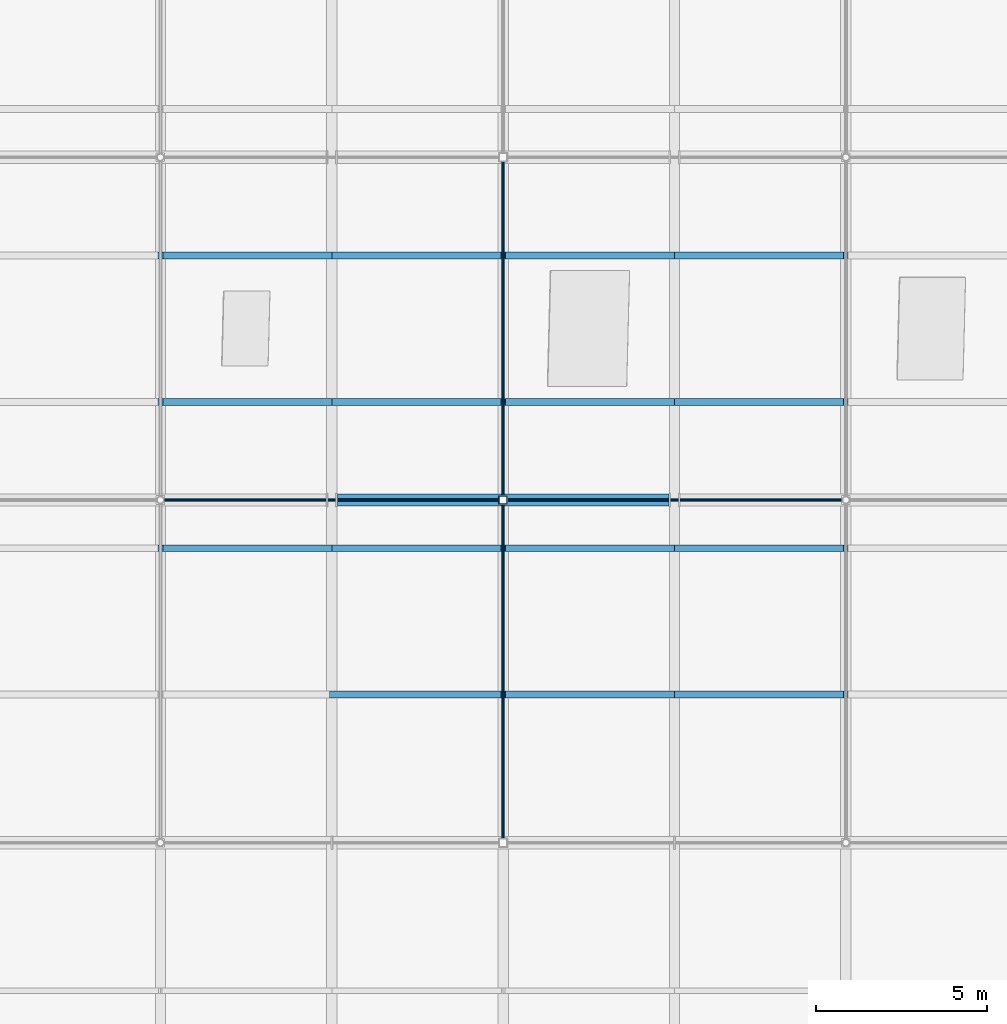
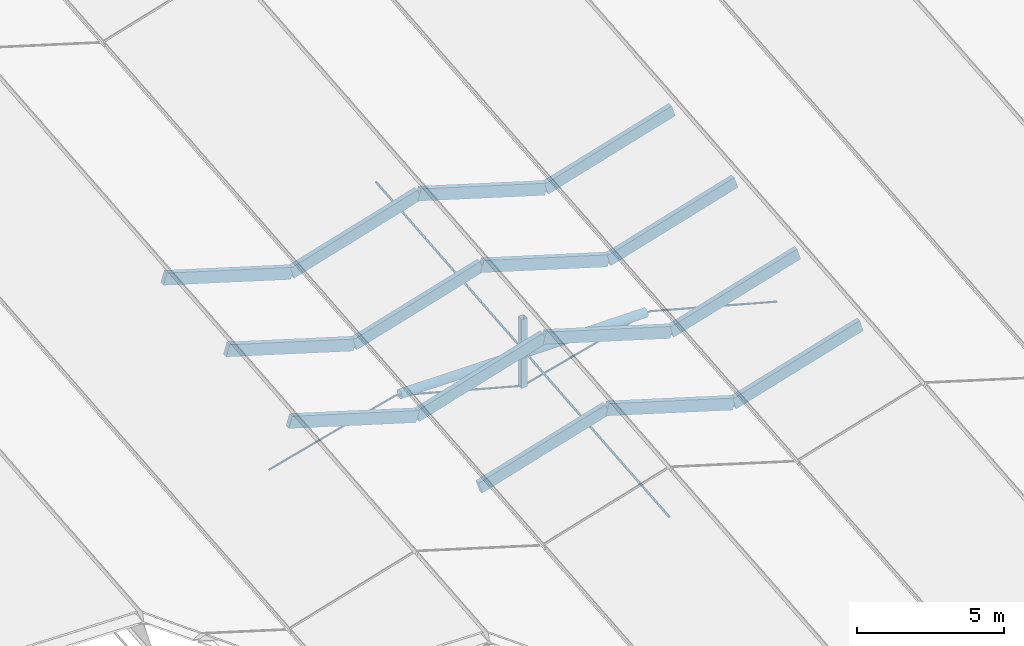
# One storey, part 24 of 90: 22 members, 1 beam.
"""IFC4 building model written with IfcOpenShell, lengths in metres."""

from ifc_helpers import new_model, si_unit, direction, frame, origin, origin_2d, place, context, subcontext, project, spatial, rectangle, hollow_rectangle, circle, hollow_circle, extrude, material, material_profile, profile_set, type_object, element, save


model = new_model("IFC4")

# Units and contexts
model_context = context("Model", 3, precision=1e-05, world=origin(), true_north=direction((0.0, 1.0)))
body_context = subcontext(model_context, "Body", "Model", "MODEL_VIEW")
ifc_project = project(units=[si_unit("LENGTHUNIT", "METRE"), si_unit("AREAUNIT", "SQUARE_METRE"), si_unit("VOLUMEUNIT", "CUBIC_METRE"), si_unit("PLANEANGLEUNIT", "RADIAN"), si_unit("MASSUNIT", "GRAM", prefix="KILO"), si_unit("THERMODYNAMICTEMPERATUREUNIT", "KELVIN"), si_unit("POWERUNIT", "WATT")], contexts=[model_context])

# Site, building, storey
site_placement = place(None, origin())
site = spatial("IfcSite", under=ifc_project, at=site_placement, CompositionType="ELEMENT")
building_placement = place(site_placement, origin())
building = spatial("IfcBuilding", under=site, at=building_placement, Name="Korenveer Ferry Terminal", CompositionType="ELEMENT")
storey_placement = place(building_placement, frame((0.0, 0.0, 22.199951171875)))
storey = spatial("IfcBuildingStorey", under=building, at=storey_placement, Name="RF", CompositionType="ELEMENT", Elevation=22.199951171875)

# Members
ifc_material_1 = material(Name="High-strength steel S460", Category="steel")
ifc_material_profile_1 = material_profile(ifc_material_1, circle(Radius=0.0380859375, at=origin_2d()), Name="ROD D76")
ifc_profile_set_1 = profile_set([ifc_material_profile_1], Name="High-strength steel S460")
member_type_1 = type_object("IfcMemberType", Name="STR-CBL-D76", PredefinedType="USERDEFINED", material=ifc_profile_set_1)
for number, where, z_axis, x_axis, name in (
    (1, (83.0, 60.0, -7.76953125), (-0.965424337217, 0.0, -0.260683426993), (0.0, -1.0, 0.0), "Roof tension tie cable 34"),
    (2, (83.0, 60.0, -7.76953125), (0.965424337217, 0.0, -0.260683426993), (0.0, 1.0, 0.0), "Roof tension tie cable 35"),
    (3, (93.0, 60.0, -7.76953125), (-0.965424337217, 0.0, -0.260683426993), (0.0, -1.0, 0.0), "Roof tension tie cable 36"),
    (4, (93.0, 60.0, -7.76953125), (0.965424337217, 0.0, -0.260683426993), (0.0, 1.0, 0.0), "Roof tension tie cable 37"),
):
    element("IfcMember", number, at=place(storey_placement, frame(where, z_axis=z_axis, x_axis=x_axis)), inside=storey, type_object=member_type_1, Name=name, ObjectType="CABLE", PredefinedType="USERDEFINED", context=body_context, shape_type="SweptSolid", body=[
        extrude(circle(Radius=0.0380859375, at=origin_2d()), origin(), (0.0, 0.0, 1.0), 5.178955078125),
    ])
ifc_material_profile_2 = material_profile(ifc_material_1, circle(Radius=0.044921875, at=origin_2d()), Name="ROD D90")
ifc_profile_set_2 = profile_set([ifc_material_profile_2], Name="High-strength steel S460")
member_type_2 = type_object("IfcMemberType", Name="STR-CBL-D90", PredefinedType="USERDEFINED", material=ifc_profile_set_2)
for number, where, z_axis, x_axis, name in (
    (5, (88.0, 50.0, -8.517822265625), (0.0, 0.995903364261, 0.090423940715), (-1.0, 0.0, 0.0), "Longitudinal jaw-stay cable 114"),
    (6, (88.0, 60.0, -7.60986328125), (0.0, 0.995903364261, 0.090423940715), (-1.0, 0.0, 0.0), "Longitudinal jaw-stay cable 115"),
):
    element("IfcMember", number, at=place(storey_placement, frame(where, z_axis=z_axis, x_axis=x_axis)), inside=storey, type_object=member_type_2, Name=name, ObjectType="CABLE", PredefinedType="USERDEFINED", context=body_context, shape_type="SweptSolid", body=[
        extrude(circle(Radius=0.044921875, at=origin_2d()), origin(), (0.0, 0.0, 1.0), 10.041015625),
    ])
ifc_material_2 = material(Name="Glulam GL28h", Category="wood")
ifc_material_profile_3 = material_profile(ifc_material_2, rectangle(XDim=0.199951171875, YDim=0.47998046875, at=origin_2d()), Name="GL 200x480")
ifc_profile_set_3 = profile_set([ifc_material_profile_3], Name="Glulam GL28h")
member_type_3 = type_object("IfcMemberType", Name="STR-PUR-GL200", PredefinedType="PURLIN", material=ifc_profile_set_3)
for number, where, z_axis, x_axis, name in (
    (7, (78.0, 58.5927734375, -6.229248046875), (0.957310140112, 0.0, -0.289062788401), (0.0, 1.0, 0.0), "Folded roof glulam purlin 92"),
    (8, (78.0, 62.8642578125, -5.841552734375), (0.957310140112, 0.0, -0.289062788401), (0.0, 1.0, 0.0), "Folded roof glulam purlin 93"),
    (9, (78.0, 67.1357421875, -5.45361328125), (0.957310140112, 0.0, -0.289062788401), (0.0, 1.0, 0.0), "Folded roof glulam purlin 94"),
    (10, (83.0, 54.321533203125, -8.126953125), (0.957310140112, 0.0, 0.289062788401), (0.0, 1.0, 0.0), "Folded roof glulam purlin 121"),
    (11, (83.0, 58.5927734375, -7.739013671875), (0.957310140112, 0.0, 0.289062788401), (0.0, 1.0, 0.0), "Folded roof glulam purlin 122"),
    (12, (83.0, 62.8642578125, -7.351318359375), (0.957310140112, 0.0, 0.289062788401), (0.0, 1.0, 0.0), "Folded roof glulam purlin 123"),
    (13, (83.0, 67.1357421875, -6.96337890625), (0.957310140112, 0.0, 0.289062788401), (0.0, 1.0, 0.0), "Folded roof glulam purlin 124"),
    (14, (88.0, 54.321533203125, -6.6171875), (0.957310140112, 0.0, -0.289062788401), (0.0, 1.0, 0.0), "Folded roof glulam purlin 127"),
    (15, (88.0, 58.5927734375, -6.229248046875), (0.957310140112, 0.0, -0.289062788401), (0.0, 1.0, 0.0), "Folded roof glulam purlin 128"),
    (16, (88.0, 62.8642578125, -5.841552734375), (0.957310140112, 0.0, -0.289062788401), (0.0, 1.0, 0.0), "Folded roof glulam purlin 129"),
    (17, (88.0, 67.1357421875, -5.45361328125), (0.957310140112, 0.0, -0.289062788401), (0.0, 1.0, 0.0), "Folded roof glulam purlin 130"),
    (18, (93.0, 54.321533203125, -8.126953125), (0.957310140112, 0.0, 0.289062788401), (0.0, 1.0, 0.0), "Folded roof glulam purlin 157"),
    (19, (93.0, 58.5927734375, -7.739013671875), (0.957310140112, 0.0, 0.289062788401), (0.0, 1.0, 0.0), "Folded roof glulam purlin 158"),
    (20, (93.0, 62.8642578125, -7.351318359375), (0.957310140112, 0.0, 0.289062788401), (0.0, 1.0, 0.0), "Folded roof glulam purlin 159"),
    (21, (93.0, 67.1357421875, -6.96337890625), (0.957310140112, 0.0, 0.289062788401), (0.0, 1.0, 0.0), "Folded roof glulam purlin 160"),
):
    element("IfcMember", number, at=place(storey_placement, frame(where, z_axis=z_axis, x_axis=x_axis)), inside=storey, type_object=member_type_3, Name=name, PredefinedType="PURLIN", context=body_context, shape_type="SweptSolid", body=[
        extrude(rectangle(XDim=0.199951171875, YDim=0.47998046875, at=origin_2d()), origin(), (0.0, 0.0, 1.0), 5.222900390625),
    ])

# Beam
ifc_material_3 = material(Name="Steel S355", Category="steel")
ifc_material_profile_4 = material_profile(ifc_material_3, hollow_circle(Radius=0.177734375, WallThickness=0.01611328125, at=origin_2d()), Name="CHS 355.6x16")
ifc_profile_set_4 = profile_set([ifc_material_profile_4], Name="Steel S355")
beam_type = type_object("IfcBeamType", Name="STR-RFG-CHS355", PredefinedType="USERDEFINED", material=ifc_profile_set_4)
beam_placement = place(storey_placement, frame((83.159912109375, 60.0, -7.76953125), z_axis=(1.0, 0.0, 0.0), x_axis=(0.0, 1.0, 0.0)))
element("IfcBeam", 22, at=beam_placement, inside=storey, type_object=beam_type, Name="Roof transverse tie girder 106", ObjectType="ROOF GIRDER", PredefinedType="USERDEFINED", context=body_context, shape_type="SweptSolid", body=[
    extrude(hollow_circle(Radius=0.177734375, WallThickness=0.01611328125, at=origin_2d()), origin(), (0.0, 0.0, 1.0), 9.68017578125),
])

# Member
ifc_material_profile_5 = material_profile(ifc_material_3, hollow_rectangle(XDim=0.25, YDim=0.25, WallThickness=0.012451171875, InnerFilletRadius=0.012451171875, OuterFilletRadius=0.018798828125, at=origin_2d()), Name="SHS 250x250x12.5")
ifc_profile_set_5 = profile_set([ifc_material_profile_5], Name="Steel S355")
member_type_4 = type_object("IfcMemberType", Name="STR-STT-SHS250", PredefinedType="STRUT", material=ifc_profile_set_5)
member_placement = place(storey_placement, frame((88.0, 60.0, -9.11962890625), z_axis=(0.0, 0.0, 1.0), x_axis=(1.0, 0.0, 0.0)))
element("IfcMember", 23, at=member_placement, inside=storey, type_object=member_type_4, Name="Roof king-post strut STTKP-Y60-B3", PredefinedType="STRUT", context=body_context, shape_type="SweptSolid", body=[
    extrude(hollow_rectangle(XDim=0.25, YDim=0.25, WallThickness=0.012451171875, InnerFilletRadius=0.012451171875, OuterFilletRadius=0.018798828125, at=origin_2d()), origin(), (0.0, 0.0, 1.0), 2.859619140625),
])

save(model, "model.ifc")
